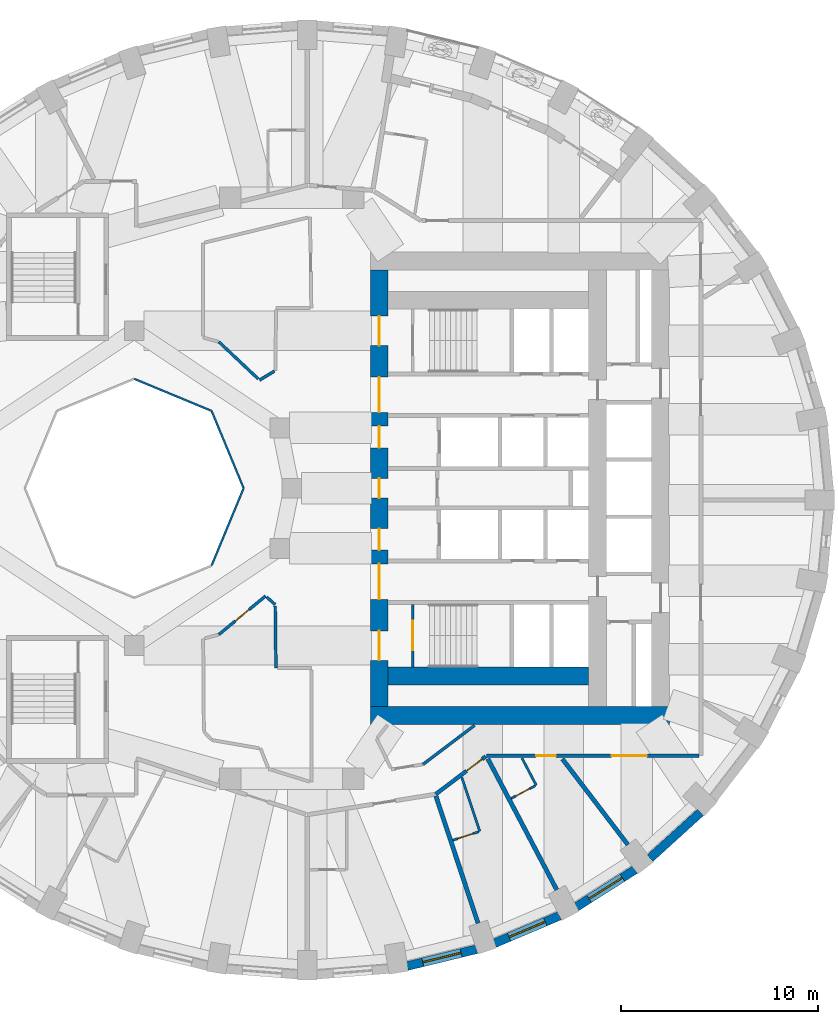
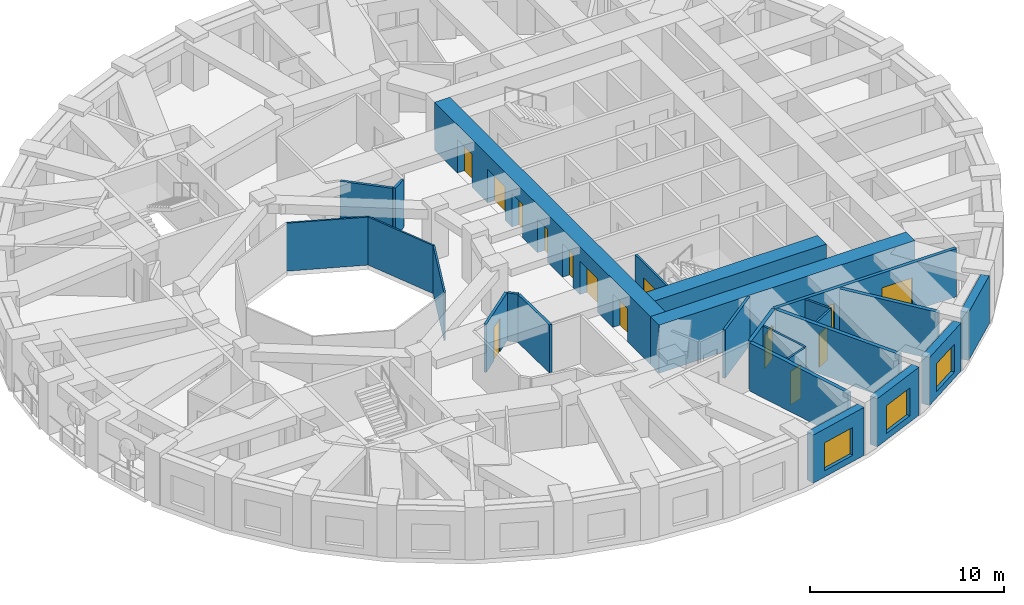
# One storey, part 5 of 12: 26 walls, 14 doors, 3 windows, 17 openings.
"""IFC4 building model written with IfcOpenShell, lengths in metres."""

import ifcopenshell
import ifcopenshell.guid

model = None  # the IFC model being written
_history = None  # IfcOwnerHistory: only IFC2X3 demands one
_inside = {}  # id of a spatial element -> (the spatial element, [elements in it])
_under = {}  # id of a project, library or spatial element -> (it, [spatial elements below it])
_declared = {}  # id of a project -> (the project, [libraries it declares])
_typed = {}  # id of a type object -> (the type object, [elements of that type])
_made_of = {}  # id of a material, layer set ... -> (it, [elements and type objects made of it])


def new_model(schema):
    """Start an empty IFC model of exactly this schema.

    Asked for "IFC4X3", IfcOpenShell would pick the latest addendum, in which some entities
    have other attributes; the version numbers below select the first issue.
    IFC2X3 requires an IfcOwnerHistory on every rooted entity: one is made here for all.
    """
    global model, _history
    if schema == "IFC4X3":
        model = ifcopenshell.file(schema_version=(4, 3, 0, 0))
    else:
        model = ifcopenshell.file(schema=schema)
    _inside.clear()
    _under.clear()
    _declared.clear()
    _typed.clear()
    _made_of.clear()
    _history = None
    if model.schema == "IFC2X3":
        org = make("IfcOrganization", Name="unknown")
        user = make(
            "IfcPersonAndOrganization",
            ThePerson=make("IfcPerson", FamilyName="unknown"),
            TheOrganization=org,
        )
        app = make(
            "IfcApplication",
            ApplicationDeveloper=org,
            Version="unknown",
            ApplicationFullName="unknown",
            ApplicationIdentifier="unknown",
        )
        _history = make(
            "IfcOwnerHistory",
            OwningUser=user,
            OwningApplication=app,
            ChangeAction="ADDED",
            CreationDate=0,
        )
    return model


def make(cls, **values):
    """One entity of the class cls with the attributes given. An attribute that is None is left unset."""
    return model.create_entity(
        cls, **{name: value for name, value in values.items() if value is not None}
    )


def rooted(cls, **values):
    """An entity with a GlobalId (a new one), such as an element, a storey or a relation."""
    return make(cls, GlobalId=ifcopenshell.guid.new(), OwnerHistory=_history, **values)


def si_unit(unit_type, name, prefix=None):
    """IfcSIUnit, for example si_unit("LENGTHUNIT", "METRE", prefix="MILLI")."""
    return make("IfcSIUnit", UnitType=unit_type, Prefix=prefix, Name=name)


def assignment(units):
    """IfcUnitAssignment: the units of a project."""
    return None if units is None else make("IfcUnitAssignment", Units=units)


def point(xyz):
    """IfcCartesianPoint."""
    return None if xyz is None else make("IfcCartesianPoint", Coordinates=xyz)


def direction(xyz):
    """IfcDirection."""
    return None if xyz is None else make("IfcDirection", DirectionRatios=xyz)


def frame(location, z_axis=None, x_axis=None):
    """IfcAxis2Placement3D, a coordinate frame: its origin and axes. An axis left out is left unset."""
    return make(
        "IfcAxis2Placement3D",
        Location=point(location),
        Axis=direction(z_axis),
        RefDirection=direction(x_axis),
    )


def frame_2d(location, x_axis=None):
    """IfcAxis2Placement2D, a coordinate frame in the plane: its origin and x axis."""
    return make(
        "IfcAxis2Placement2D", Location=point(location), RefDirection=direction(x_axis)
    )


def origin():
    """The frame at (0, 0, 0) with its axes left unset."""
    return frame((0.0, 0.0, 0.0))


def place(relative_to, where):
    """IfcLocalPlacement: puts the frame where relative to a parent placement (None: the world)."""
    return make(
        "IfcLocalPlacement", PlacementRelTo=relative_to, RelativePlacement=where
    )


def context(
    kind, dimensions, precision=None, world=None, true_north=None, identifier=None
):
    """IfcGeometricRepresentationContext, for example the 3D "Model" context."""
    return make(
        "IfcGeometricRepresentationContext",
        ContextIdentifier=identifier,
        ContextType=kind,
        CoordinateSpaceDimension=dimensions,
        Precision=precision,
        WorldCoordinateSystem=world,
        TrueNorth=true_north,
    )


def subcontext(parent, identifier, kind, view, scale=None):
    """IfcGeometricRepresentationSubContext, for example "Body" below "Model"."""
    return make(
        "IfcGeometricRepresentationSubContext",
        ContextIdentifier=identifier,
        ContextType=kind,
        ParentContext=parent,
        TargetScale=scale,
        TargetView=view,
    )


def project(units=None, contexts=None):
    """IfcProject with its units and contexts."""
    return rooted(
        "IfcProject",
        Name="project",
        RepresentationContexts=contexts,
        UnitsInContext=assignment(units),
    )


def spatial(cls, under=None, at=None, **own):
    """A site, building, storey or space (cls), placed at a placement, below another one or the project."""
    s = rooted(cls, ObjectPlacement=at, **own)
    if under is not None:
        _under.setdefault(under.id(), (under, []))[1].append(s)
    return s


def profile(cls, at=None, kind="AREA", **sizes):
    """A parametric profile (cls). Its sizes go by their IFC names, for example OverallWidth=200.0."""
    return make(cls, ProfileType=kind, Position=at, **sizes)


def rectangle(**sizes):
    """IfcRectangleProfileDef."""
    return profile("IfcRectangleProfileDef", **sizes)


def extrude(swept, where, along, depth):
    """IfcExtrudedAreaSolid: the profile swept, set in the frame where, extruded along a direction by depth."""
    return make(
        "IfcExtrudedAreaSolid",
        SweptArea=swept,
        Position=where,
        ExtrudedDirection=direction(along),
        Depth=depth,
    )


def shape(context_of_items, identifier, shape_type, items):
    """IfcShapeRepresentation: the items that make up one representation, for example the "Body"."""
    return make(
        "IfcShapeRepresentation",
        ContextOfItems=context_of_items,
        RepresentationIdentifier=identifier,
        RepresentationType=shape_type,
        Items=items,
    )


def material(Name=None, Category=None):
    """IfcMaterial."""
    return make("IfcMaterial", Name=Name, Category=Category)


def layer(
    of_material, thickness, ventilated=None, Name=None, Category=None, Priority=None
):
    """IfcMaterialLayer: one layer of a wall or slab, of a material (None: an air gap)."""
    return make(
        "IfcMaterialLayer",
        Material=of_material,
        LayerThickness=thickness,
        IsVentilated=ventilated,
        Name=Name,
        Category=Category,
        Priority=Priority,
    )


def layer_set(layers, Name=None):
    """IfcMaterialLayerSet."""
    return make("IfcMaterialLayerSet", MaterialLayers=layers, LayerSetName=Name)


def made_of(thing, what):
    """Note that an element or type object is made of a material, layer set ...; save() writes the relation."""
    if what is not None:
        _made_of.setdefault(what.id(), (what, []))[1].append(thing)
    return thing


def type_object(cls, material=None, **own):
    """A type object (cls), such as IfcWallType, which elements share."""
    return made_of(rooted(cls, **own), material)


def element(
    cls,
    number,
    at=None,
    inside=None,
    cuts=None,
    type_object=None,
    material=None,
    context=None,
    identifier="Body",
    shape_type=None,
    held_by="IfcProductDefinitionShape",
    body=None,
    shapes=None,
    **own,
):
    """One element of the class cls, such as IfcWall. Its Tag is "e" and its number.

    at: its placement. inside: the storey or other place that contains it. cuts: it is an
    opening in that element (IfcRelVoidsElement). A single representation is given by context,
    identifier, shape_type and body (its items); several are given by shapes. held_by: the class
    of the entity that holds the representations. save() writes the other relations.
    """
    e = rooted(cls, Tag="e%d" % number, ObjectPlacement=at, **own)
    if body is not None:
        shapes = [shape(context, identifier, shape_type, body)]
    if shapes is not None:
        e.Representation = make(held_by, Representations=shapes)
    if inside is not None:
        _inside.setdefault(inside.id(), (inside, []))[1].append(e)
    if cuts is not None:
        rooted(
            "IfcRelVoidsElement", RelatingBuildingElement=cuts, RelatedOpeningElement=e
        )
    if type_object is not None:
        _typed.setdefault(type_object.id(), (type_object, []))[1].append(e)
    return made_of(e, material)


def fill(opening, filler):
    """IfcRelFillsElement: the door or window that sits in an opening."""
    return rooted(
        "IfcRelFillsElement",
        RelatingOpeningElement=opening,
        RelatedBuildingElement=filler,
    )


def aggregate(whole, parts):
    """IfcRelAggregates: a whole, such as a stair, and the parts it consists of."""
    return rooted("IfcRelAggregates", RelatingObject=whole, RelatedObjects=parts)


def save(model, path):
    """Write the relations noted so far, then the file.

    IfcRelAggregates (storeys below a building ...), IfcRelContainedInSpatialStructure (elements
    in a storey), IfcRelDefinesByType, IfcRelAssociatesMaterial and IfcRelDeclares: one each for
    every whole, place, type object, material and project.
    """
    for whole, parts in _under.values():
        aggregate(whole, parts)
    for where, things in _inside.values():
        rooted(
            "IfcRelContainedInSpatialStructure",
            RelatedElements=things,
            RelatingStructure=where,
        )
    for kind, things in _typed.values():
        rooted("IfcRelDefinesByType", RelatedObjects=things, RelatingType=kind)
    for what, things in _made_of.values():
        rooted("IfcRelAssociatesMaterial", RelatedObjects=things, RelatingMaterial=what)
    for by, libraries in _declared.values():
        rooted("IfcRelDeclares", RelatingContext=by, RelatedDefinitions=libraries)
    model.write(path)


model = new_model("IFC4")

# Units and contexts
model_context = context("Model", 3, precision=1e-05, world=origin(), true_north=direction((0.0, 1.0)))
body_context = subcontext(model_context, "Body", "Model", "MODEL_VIEW")
ifc_project = project(units=[si_unit("LENGTHUNIT", "METRE"), si_unit("AREAUNIT", "SQUARE_METRE"), si_unit("VOLUMEUNIT", "CUBIC_METRE"), si_unit("PLANEANGLEUNIT", "RADIAN"), si_unit("MASSUNIT", "GRAM", prefix="KILO")], contexts=[model_context])

# Site, building, storey
site_placement = place(None, origin())
site = spatial("IfcSite", under=ifc_project, at=site_placement, CompositionType="ELEMENT")
building_placement = place(site_placement, origin())
building = spatial("IfcBuilding", under=site, at=building_placement, Name="Taillehof Tower", CompositionType="ELEMENT")
storey_placement = place(building_placement, frame((0.0, 0.0, 102.10009765625)))
storey = spatial("IfcBuildingStorey", under=building, at=storey_placement, Name="L28", CompositionType="ELEMENT", Elevation=102.10009765625)

# Walls
ifc_material_1 = material(Name="Fire-resisting glass in steel frame", Category="steel")
ifc_layer_1 = layer(ifc_material_1, 0.10009765625)
ifc_layer_set_1 = layer_set([ifc_layer_1], Name="Atrium fire-resisting screen EI 60 100")
wall_type_1 = type_object("IfcWallType", Name="Atrium fire-resisting screen EI 60 100", PredefinedType="PARTITIONING", material=ifc_layer_set_1)
for number, where, z_axis, x_axis, name in (
    (1, (-2.44580078125, 0.0, 0.0), (0.0, 0.0, 1.0), (-0.382730523909, -0.923860025149, 0.0), "Atrium screen"),
    (2, (-8.0, 5.55419921875, 0.0), (0.0, 0.0, 1.0), (0.923860025149, -0.382730523909, 0.0), "Atrium screen"),
    (3, (-4.07275390625, 3.92724609375, 0.0), (0.0, 0.0, 1.0), (0.382730523909, -0.923860025149, 0.0), "Atrium screen"),
):
    element("IfcWall", number, at=place(storey_placement, frame(where, z_axis=z_axis, x_axis=x_axis)), inside=storey, type_object=wall_type_1, Name=name, PredefinedType="PARTITIONING", context=body_context, shape_type="SweptSolid", body=[
        extrude(rectangle(XDim=4.2509765625, YDim=0.10009765625, at=frame_2d((2.12548828125, 0.0))), origin(), (0.0, 0.0, 1.0), 3.02001953125),
    ])

# Wall, opening, window
ifc_material_2 = material(Name="Brick masonry", Category="masonry")
ifc_layer_2 = layer(ifc_material_2, 0.449951171875)
ifc_layer_set_2 = layer_set([ifc_layer_2], Name="Brick infill wall 450")
wall_type_2 = type_object("IfcWallType", Name="Brick infill wall 450", PredefinedType="SOLIDWALL", material=ifc_layer_set_2)
wall_1_placement = place(storey_placement, frame((5.87451171875, -24.29443359375, 0.0), z_axis=(0.0, 0.0, 1.0), x_axis=(0.971667603162, 0.236351579148, 0.0)))
wall_1 = element("IfcWall", 4, at=wall_1_placement, inside=storey, type_object=wall_type_2, Name="Brick wall L28 bay 29", PredefinedType="SOLIDWALL", context=body_context, shape_type="SweptSolid", body=[
    extrude(rectangle(XDim=3.635009765625, YDim=0.449951171875, at=frame_2d((1.8173828125, 0.0))), origin(), (0.0, 0.0, 1.0), 3.02001953125),
])
opening_1_placement = place(wall_1_placement, frame((0.8173828125, 0.0, 0.39990234375)))
opening_1 = element("IfcOpeningElement", 5, at=opening_1_placement, cuts=wall_1, Name="Opening W2", PredefinedType="OPENING", context=body_context, shape_type="SweptSolid", body=[
    extrude(rectangle(XDim=2.0, YDim=1.75, at=frame_2d((1.0, 0.875))), frame((0.0, 0.23486328125, 0.0), z_axis=(0.0, -1.0, 0.0), x_axis=(1.0, 0.0, 0.0)), (0.0, 0.0, 1.0), 0.469970703125),
])
ifc_material_3 = material(Name="Aluminium window frame with clear double glazing", Category="aluminium")
window_type = type_object("IfcWindowType", Name="Deep-set window 2000x1750", PartitioningType="SINGLE_PANEL", PredefinedType="WINDOW", material=ifc_material_3)
window_1_placement = place(opening_1_placement, origin())
window_1 = element("IfcWindow", 6, at=window_1_placement, inside=storey, type_object=window_type, Name="W2", OverallHeight=1.75, OverallWidth=2.0, PartitioningType="SINGLE_PANEL", PredefinedType="WINDOW", context=body_context, shape_type="SweptSolid", body=[
    extrude(rectangle(XDim=2.0, YDim=1.75, at=frame_2d((1.0, 0.875))), frame((0.0, 0.034912109375, 0.0), z_axis=(0.0, -1.0, 0.0), x_axis=(1.0, 0.0, 0.0)), (0.0, 0.0, 1.0), 0.06005859375),
])
fill(opening_1, window_1)

wall_2_placement = place(storey_placement, frame((10.318115234375, -23.133544921875, 0.0), z_axis=(0.0, 0.0, 1.0), x_axis=(0.920869643542, 0.389870619055, 0.0)))
wall_2 = element("IfcWall", 7, at=wall_2_placement, inside=storey, type_object=wall_type_2, Name="Brick wall L28 bay 30", PredefinedType="SOLIDWALL", context=body_context, shape_type="SweptSolid", body=[
    extrude(rectangle(XDim=3.59130859375, YDim=0.449951171875, at=frame_2d((1.795654296875, 0.0))), origin(), (0.0, 0.0, 1.0), 3.02001953125),
])
opening_2_placement = place(wall_2_placement, frame((0.795654296875, 0.0, 0.39990234375)))
opening_2 = element("IfcOpeningElement", 8, at=opening_2_placement, cuts=wall_2, Name="Opening W2", PredefinedType="OPENING", context=body_context, shape_type="SweptSolid", body=[
    extrude(rectangle(XDim=2.0, YDim=1.75, at=frame_2d((1.0, 0.875))), frame((0.0, 0.23486328125, 0.0), z_axis=(0.0, -1.0, 0.0), x_axis=(1.0, 0.0, 0.0)), (0.0, 0.0, 1.0), 0.469970703125),
])
window_2_placement = place(opening_2_placement, origin())
window_2 = element("IfcWindow", 9, at=window_2_placement, inside=storey, type_object=window_type, Name="W2", OverallHeight=1.75, OverallWidth=2.0, PartitioningType="SINGLE_PANEL", PredefinedType="WINDOW", context=body_context, shape_type="SweptSolid", body=[
    extrude(rectangle(XDim=2.0, YDim=1.75, at=frame_2d((1.0, 0.875))), frame((0.0, 0.034912109375, 0.0), z_axis=(0.0, -1.0, 0.0), x_axis=(1.0, 0.0, 0.0)), (0.0, 0.0, 1.0), 0.06005859375),
])
fill(opening_2, window_2)

wall_3_placement = place(storey_placement, frame((14.475341796875, -21.287109375, 0.0), z_axis=(0.0, 0.0, 1.0), x_axis=(0.843911841423, 0.536481876587, 0.0)))
wall_3 = element("IfcWall", 10, at=wall_3_placement, inside=storey, type_object=wall_type_2, Name="Brick wall L28 bay 31", PredefinedType="SOLIDWALL", context=body_context, shape_type="SweptSolid", body=[
    extrude(rectangle(XDim=3.5322265625, YDim=0.449951171875, at=frame_2d((1.76611328125, 0.0))), origin(), (0.0, 0.0, 1.0), 3.02001953125),
])
opening_3_placement = place(wall_3_placement, frame((0.76611328125, 0.0, 0.39990234375)))
opening_3 = element("IfcOpeningElement", 11, at=opening_3_placement, cuts=wall_3, Name="Opening W2", PredefinedType="OPENING", context=body_context, shape_type="SweptSolid", body=[
    extrude(rectangle(XDim=2.0, YDim=1.75, at=frame_2d((1.0, 0.875))), frame((0.0, 0.23486328125, 0.0), z_axis=(0.0, -1.0, 0.0), x_axis=(1.0, 0.0, 0.0)), (0.0, 0.0, 1.0), 0.469970703125),
])
window_3_placement = place(opening_3_placement, origin())
window_3 = element("IfcWindow", 12, at=window_3_placement, inside=storey, type_object=window_type, Name="W2", OverallHeight=1.75, OverallWidth=2.0, PartitioningType="SINGLE_PANEL", PredefinedType="WINDOW", context=body_context, shape_type="SweptSolid", body=[
    extrude(rectangle(XDim=2.0, YDim=1.75, at=frame_2d((1.0, 0.875))), frame((0.0, 0.034912109375, 0.0), z_axis=(0.0, -1.0, 0.0), x_axis=(1.0, 0.0, 0.0)), (0.0, 0.0, 1.0), 0.06005859375),
])
fill(opening_3, window_3)

# Wall
wall_4_placement = place(storey_placement, frame((18.219482421875, -18.8095703125, 0.0), z_axis=(0.0, 0.0, 1.0), x_axis=(0.740364106106, 0.672206062446, 0.0)))
element("IfcWall", 13, at=wall_4_placement, inside=storey, type_object=wall_type_2, Name="Brick wall L28 bay 32", PredefinedType="SOLIDWALL", context=body_context, shape_type="SweptSolid", body=[
    extrude(rectangle(XDim=3.4638671875, YDim=0.449951171875, at=frame_2d((1.73193359375, 0.0))), origin(), (0.0, 0.0, 1.0), 3.02001953125),
])

# Wall, openings, doors
ifc_material_4 = material(Name="Gypsum board on steel studs, two layers each side", Category="steel")
ifc_layer_3 = layer(ifc_material_4, 0.199951171875)
ifc_layer_set_3 = layer_set([ifc_layer_3], Name="Compartment wall corridor 200")
wall_type_3 = type_object("IfcWallType", Name="Compartment wall corridor 200", PredefinedType="PARTITIONING", material=ifc_layer_set_3)
wall_5_placement = place(storey_placement, frame((20.699951171875, -13.60009765625, 0.0), z_axis=(0.0, 0.0, 1.0), x_axis=(-1.0, 0.0, 0.0)))
wall_5 = element("IfcWall", 14, at=wall_5_placement, inside=storey, type_object=wall_type_3, Name="Compartment wall", PredefinedType="PARTITIONING", context=body_context, shape_type="SweptSolid", body=[
    extrude(rectangle(XDim=10.791015625, YDim=0.199951171875, at=frame_2d((5.3955078125, 0.0))), origin(), (0.0, 0.0, 1.0), 3.02001953125),
])
opening_4_placement = place(wall_5_placement, frame((7.27197265625, 0.0, 0.0)))
opening_4 = element("IfcOpeningElement", 15, at=opening_4_placement, cuts=wall_5, Name="Opening D2859", PredefinedType="OPENING", context=body_context, shape_type="SweptSolid", body=[
    extrude(rectangle(XDim=1.0, YDim=2.10009765625, at=frame_2d((0.5, 1.050048828125))), frame((0.0, 0.10986328125, 0.0), z_axis=(0.0, -1.0, 0.0), x_axis=(1.0, 0.0, 0.0)), (0.0, 0.0, 1.0), 0.219970703125),
])
opening_5_placement = place(wall_5_placement, frame((2.638427734375, 0.0, 0.0)))
opening_5 = element("IfcOpeningElement", 16, at=opening_5_placement, cuts=wall_5, Name="Opening D2861", PredefinedType="OPENING", context=body_context, shape_type="SweptSolid", body=[
    extrude(rectangle(XDim=1.800048828125, YDim=2.10009765625, at=frame_2d((0.89990234375, 1.050048828125))), frame((0.0, 0.10986328125, 0.0), z_axis=(0.0, -1.0, 0.0), x_axis=(1.0, 0.0, 0.0)), (0.0, 0.0, 1.0), 0.219970703125),
])
ifc_material_5 = material(Name="Timber door leaf in steel frame", Category="steel")
door_type_1 = type_object("IfcDoorType", Name="Guest room door EI 30 1000 x 2100", OperationType="SINGLE_SWING_LEFT", PredefinedType="DOOR", material=ifc_material_5)
door_1_placement = place(opening_4_placement, origin())
door_1 = element("IfcDoor", 17, at=door_1_placement, inside=storey, type_object=door_type_1, Name="D2859", OperationType="SINGLE_SWING_LEFT", OverallHeight=2.10009765625, OverallWidth=1.0, PredefinedType="DOOR", context=body_context, shape_type="SweptSolid", body=[
    extrude(rectangle(XDim=1.0, YDim=2.10009765625, at=frame_2d((0.5, 1.050048828125))), frame((0.0, 0.02490234375, 0.0), z_axis=(0.0, -1.0, 0.0), x_axis=(1.0, 0.0, 0.0)), (0.0, 0.0, 1.0), 0.050048828125),
])
fill(opening_4, door_1)
ifc_material_6 = material(Name="Timber door leaf in steel frame", Category="steel")
door_type_2 = type_object("IfcDoorType", Name="Lounge and meeting room double door EI 30 1800 x 2100", OperationType="SINGLE_SWING_LEFT", PredefinedType="DOOR", material=ifc_material_6)
door_2_placement = place(opening_5_placement, origin())
door_2 = element("IfcDoor", 18, at=door_2_placement, inside=storey, type_object=door_type_2, Name="D2861", OperationType="DOUBLE_DOOR_SINGLE_SWING", OverallHeight=2.10009765625, OverallWidth=1.800048828125, PredefinedType="DOOR", context=body_context, shape_type="SweptSolid", body=[
    extrude(rectangle(XDim=1.800048828125, YDim=2.10009765625, at=frame_2d((0.89990234375, 1.050048828125))), frame((0.0, 0.02490234375, 0.0), z_axis=(0.0, -1.0, 0.0), x_axis=(1.0, 0.0, 0.0)), (0.0, 0.0, 1.0), 0.050048828125),
])
fill(opening_5, door_2)

# Wall, opening, door
wall_6_placement = place(storey_placement, frame((9.861328125, -13.635986328125, 0.0), z_axis=(0.0, 0.0, 1.0), x_axis=(-0.797589990076, -0.603199973251, 0.0)))
wall_6 = element("IfcWall", 19, at=wall_6_placement, inside=storey, type_object=wall_type_3, Name="Compartment wall", PredefinedType="PARTITIONING", context=body_context, shape_type="SweptSolid", body=[
    extrude(rectangle(XDim=3.181396484375, YDim=0.199951171875, at=frame_2d((1.5908203125, 0.0))), origin(), (0.0, 0.0, 1.0), 3.02001953125),
])
opening_6_placement = place(wall_6_placement, frame((0.219970703125, 0.0, 0.0)))
opening_6 = element("IfcOpeningElement", 20, at=opening_6_placement, cuts=wall_6, Name="Opening D2857", PredefinedType="OPENING", context=body_context, shape_type="SweptSolid", body=[
    extrude(rectangle(XDim=1.0, YDim=2.10009765625, at=frame_2d((0.5, 1.050048828125))), frame((0.0, 0.10986328125, 0.0), z_axis=(0.0, -1.0, 0.0), x_axis=(1.0, 0.0, 0.0)), (0.0, 0.0, 1.0), 0.219970703125),
])
door_3_placement = place(opening_6_placement, origin())
door_3 = element("IfcDoor", 21, at=door_3_placement, inside=storey, type_object=door_type_1, Name="D2857", OperationType="SINGLE_SWING_LEFT", OverallHeight=2.10009765625, OverallWidth=1.0, PredefinedType="DOOR", context=body_context, shape_type="SweptSolid", body=[
    extrude(rectangle(XDim=1.0, YDim=2.10009765625, at=frame_2d((0.5, 1.050048828125))), frame((0.0, 0.02490234375, 0.0), z_axis=(0.0, -1.0, 0.0), x_axis=(1.0, 0.0, 0.0)), (0.0, 0.0, 1.0), 0.050048828125),
])
fill(opening_6, door_3)

# Walls
ifc_material_7 = material(Name="Gypsum board on double steel studs with mineral wool", Category="steel")
ifc_layer_4 = layer(ifc_material_7, 0.219970703125)
ifc_layer_set_4 = layer_set([ifc_layer_4], Name="Compartment wall guest room 220")
wall_type_4 = type_object("IfcWallType", Name="Compartment wall guest room 220", PredefinedType="PARTITIONING", material=ifc_layer_set_4)
wall_7_placement = place(storey_placement, frame((9.4736328125, -22.11181640625, 0.0), z_axis=(0.0, 0.0, 1.0), x_axis=(-0.314536861663, 0.949245259485, 0.0)))
element("IfcWall", 22, at=wall_7_placement, inside=storey, type_object=wall_type_4, Name="Compartment wall", PredefinedType="PARTITIONING", context=body_context, shape_type="SweptSolid", body=[
    extrude(rectangle(XDim=6.802490234375, YDim=0.219970703125, at=frame_2d((3.4013671875, 0.0))), origin(), (0.0, 0.0, 1.0), 3.02001953125),
])
wall_8_placement = place(storey_placement, frame((13.47607421875, -20.417724609375, 0.0), z_axis=(0.0, 0.0, 1.0), x_axis=(-0.465332071749, 0.885136183308, 0.0)))
element("IfcWall", 23, at=wall_8_placement, inside=storey, type_object=wall_type_4, Name="Compartment wall", PredefinedType="PARTITIONING", context=body_context, shape_type="SweptSolid", body=[
    extrude(rectangle(XDim=7.52880859375, YDim=0.219970703125, at=frame_2d((3.764404296875, 0.0))), origin(), (0.0, 0.0, 1.0), 3.02001953125),
])
wall_9_placement = place(storey_placement, frame((17.08935546875, -18.120849609375, 0.0), z_axis=(0.0, 0.0, 1.0), x_axis=(-0.607064955951, 0.794652212767, 0.0)))
element("IfcWall", 24, at=wall_9_placement, inside=storey, type_object=wall_type_4, Name="Compartment wall", PredefinedType="PARTITIONING", context=body_context, shape_type="SweptSolid", body=[
    extrude(rectangle(XDim=5.483154296875, YDim=0.219970703125, at=frame_2d((2.74169921875, 0.0))), origin(), (0.0, 0.0, 1.0), 3.02001953125),
])
ifc_material_8 = material(Name="Gypsum board on steel studs, two layers each side", Category="steel")
ifc_layer_5 = layer(ifc_material_8, 0.14990234375)
ifc_layer_set_5 = layer_set([ifc_layer_5], Name="Compartment wall service room 150")
wall_type_5 = type_object("IfcWallType", Name="Compartment wall service room 150", PredefinedType="PARTITIONING", material=ifc_layer_set_5)
wall_10_placement = place(storey_placement, frame((-0.87353515625, 5.95166015625, 0.0), z_axis=(0.0, 0.0, 1.0), x_axis=(-0.857759476535, -0.514051242984, 0.0)))
element("IfcWall", 25, at=wall_10_placement, inside=storey, type_object=wall_type_5, Name="Compartment wall", PredefinedType="PARTITIONING", context=body_context, shape_type="SweptSolid", body=[
    extrude(rectangle(XDim=0.888671875, YDim=0.14990234375, at=frame_2d((0.4443359375, 0.0))), origin(), (0.0, 0.0, 1.0), 3.02001953125),
])
wall_11_placement = place(storey_placement, frame((-1.6943359375, 5.549560546875, 0.0), z_axis=(0.0, 0.0, 1.0), x_axis=(-0.728018179622, 0.685557824067, 0.0)))
element("IfcWall", 26, at=wall_11_placement, inside=storey, type_object=wall_type_5, Name="Compartment wall", PredefinedType="PARTITIONING", context=body_context, shape_type="SweptSolid", body=[
    extrude(rectangle(XDim=2.760009765625, YDim=0.14990234375, at=frame_2d((1.3798828125, 0.0))), origin(), (0.0, 0.0, 1.0), 3.02001953125),
])

# Wall, opening, door
wall_12_placement = place(storey_placement, frame((-3.70361328125, -7.441650390625, 0.0), z_axis=(0.0, 0.0, 1.0), x_axis=(0.771379108851, 0.636375887686, 0.0)))
wall_12 = element("IfcWall", 27, at=wall_12_placement, inside=storey, type_object=wall_type_5, Name="Compartment wall", PredefinedType="PARTITIONING", context=body_context, shape_type="SweptSolid", body=[
    extrude(rectangle(XDim=3.083251953125, YDim=0.14990234375, at=frame_2d((1.54150390625, 0.0))), origin(), (0.0, 0.0, 1.0), 3.02001953125),
])
opening_7_placement = place(wall_12_placement, frame((1.091552734375, 0.0, 0.0)))
opening_7 = element("IfcOpeningElement", 28, at=opening_7_placement, cuts=wall_12, Name="Opening D2866", PredefinedType="OPENING", context=body_context, shape_type="SweptSolid", body=[
    extrude(rectangle(XDim=0.89990234375, YDim=2.10009765625, at=frame_2d((0.449951171875, 1.050048828125))), frame((0.0, 0.0849609375, 0.0), z_axis=(0.0, -1.0, 0.0), x_axis=(1.0, 0.0, 0.0)), (0.0, 0.0, 1.0), 0.169921875),
])
ifc_material_9 = material(Name="Timber door leaf in steel frame", Category="steel")
door_type_3 = type_object("IfcDoorType", Name="Service room door EI 30 900 x 2100", OperationType="SINGLE_SWING_LEFT", PredefinedType="DOOR", material=ifc_material_9)
door_4_placement = place(opening_7_placement, origin())
door_4 = element("IfcDoor", 29, at=door_4_placement, inside=storey, type_object=door_type_3, Name="D2866", OperationType="SINGLE_SWING_LEFT", OverallHeight=2.10009765625, OverallWidth=0.89990234375, PredefinedType="DOOR", context=body_context, shape_type="SweptSolid", body=[
    extrude(rectangle(XDim=0.89990234375, YDim=2.10009765625, at=frame_2d((0.449951171875, 1.050048828125))), frame((0.0, 0.02490234375, 0.0), z_axis=(0.0, -1.0, 0.0), x_axis=(1.0, 0.0, 0.0)), (0.0, 0.0, 1.0), 0.050048828125),
])
fill(opening_7, door_4)

# Walls
wall_13_placement = place(storey_placement, frame((-1.265625, -5.533203125, 0.0), z_axis=(0.0, 0.0, 1.0), x_axis=(0.740704364941, -0.671831112525, 0.0)))
element("IfcWall", 30, at=wall_13_placement, inside=storey, type_object=wall_type_5, Name="Compartment wall", PredefinedType="PARTITIONING", context=body_context, shape_type="SweptSolid", body=[
    extrude(rectangle(XDim=0.577880859375, YDim=0.14990234375, at=frame_2d((0.2890625, 0.0))), origin(), (0.0, 0.0, 1.0), 3.02001953125),
])
wall_14_placement = place(storey_placement, frame((-0.8369140625, -5.9814453125, 0.0), z_axis=(0.0, 0.0, 1.0), x_axis=(0.011634287273, -0.999932319389, 0.0)))
element("IfcWall", 31, at=wall_14_placement, inside=storey, type_object=wall_type_5, Name="Compartment wall", PredefinedType="PARTITIONING", context=body_context, shape_type="SweptSolid", body=[
    extrude(rectangle(XDim=3.168701171875, YDim=0.14990234375, at=frame_2d((1.58447265625, 0.0))), origin(), (0.0, 0.0, 1.0), 3.02001953125),
])
wall_15_placement = place(storey_placement, frame((9.299560546875, -12.054931640625, 0.0), z_axis=(0.0, 0.0, 1.0), x_axis=(-0.79762360872, -0.603155517933, 0.0)))
element("IfcWall", 32, at=wall_15_placement, inside=storey, type_object=wall_type_5, Name="Compartment wall", PredefinedType="PARTITIONING", context=body_context, shape_type="SweptSolid", body=[
    extrude(rectangle(XDim=3.2880859375, YDim=0.14990234375, at=frame_2d((1.64404296875, 0.0))), origin(), (0.0, 0.0, 1.0), 3.02001953125),
])

# Wall, openings, doors
ifc_material_10 = material(Name="Concrete C80/95", Category="concrete")
ifc_layer_6 = layer(ifc_material_10, 0.89990234375)
ifc_layer_set_6 = layer_set([ifc_layer_6], Name="Core wall C80/95 900")
wall_type_6 = type_object("IfcWallType", Name="Core wall C80/95 900", PredefinedType="SHEAR", material=ifc_layer_set_6)
wall_16_placement = place(storey_placement, frame((4.449951171875, -11.10009765625, 0.0), z_axis=(0.0, 0.0, 1.0), x_axis=(0.0, 1.0, 0.0)))
wall_16 = element("IfcWall", 33, at=wall_16_placement, inside=storey, type_object=wall_type_6, Name="Core wall CW01", PredefinedType="SHEAR", context=body_context, shape_type="SweptSolid", body=[
    extrude(rectangle(XDim=22.2001953125, YDim=0.89990234375, at=frame_2d((11.10009765625, 0.0))), origin(), (0.0, 0.0, 1.0), 3.02001953125),
])
opening_8_placement = place(wall_16_placement, frame((2.35009765625, 0.0, 0.0)))
opening_8 = element("IfcOpeningElement", 34, at=opening_8_placement, cuts=wall_16, Name="Opening D2801", PredefinedType="OPENING", context=body_context, shape_type="SweptSolid", body=[
    extrude(rectangle(XDim=1.5, YDim=2.10009765625, at=frame_2d((0.75, 1.050048828125))), frame((0.0, 0.4599609375, 0.0), z_axis=(0.0, -1.0, 0.0), x_axis=(1.0, 0.0, 0.0)), (0.0, 0.0, 1.0), 0.919921875),
])
opening_9_placement = place(wall_16_placement, frame((5.449951171875, 0.0, 0.0)))
opening_9 = element("IfcOpeningElement", 35, at=opening_9_placement, cuts=wall_16, Name="Opening D2802", PredefinedType="OPENING", context=body_context, shape_type="SweptSolid", body=[
    extrude(rectangle(XDim=1.800048828125, YDim=2.10009765625, at=frame_2d((0.89990234375, 1.050048828125))), frame((0.0, 0.4599609375, 0.0), z_axis=(0.0, -1.0, 0.0), x_axis=(1.0, 0.0, 0.0)), (0.0, 0.0, 1.0), 0.919921875),
])
opening_10_placement = place(wall_16_placement, frame((7.949951171875, 0.0, 0.0)))
opening_10 = element("IfcOpeningElement", 36, at=opening_10_placement, cuts=wall_16, Name="Opening D2803", PredefinedType="OPENING", context=body_context, shape_type="SweptSolid", body=[
    extrude(rectangle(XDim=1.10009765625, YDim=2.10009765625, at=frame_2d((0.550048828125, 1.050048828125))), frame((0.0, 0.4599609375, 0.0), z_axis=(0.0, -1.0, 0.0), x_axis=(1.0, 0.0, 0.0)), (0.0, 0.0, 1.0), 0.919921875),
])
opening_11_placement = place(wall_16_placement, frame((10.60009765625, 0.0, 0.0)))
opening_11 = element("IfcOpeningElement", 37, at=opening_11_placement, cuts=wall_16, Name="Opening D2804", PredefinedType="OPENING", context=body_context, shape_type="SweptSolid", body=[
    extrude(rectangle(XDim=1.0, YDim=2.10009765625, at=frame_2d((0.5, 1.050048828125))), frame((0.0, 0.4599609375, 0.0), z_axis=(0.0, -1.0, 0.0), x_axis=(1.0, 0.0, 0.0)), (0.0, 0.0, 1.0), 0.919921875),
])
opening_12_placement = place(wall_16_placement, frame((13.14990234375, 0.0, 0.0)))
opening_12 = element("IfcOpeningElement", 38, at=opening_12_placement, cuts=wall_16, Name="Opening D2805", PredefinedType="OPENING", context=body_context, shape_type="SweptSolid", body=[
    extrude(rectangle(XDim=1.10009765625, YDim=2.10009765625, at=frame_2d((0.550048828125, 1.050048828125))), frame((0.0, 0.4599609375, 0.0), z_axis=(0.0, -1.0, 0.0), x_axis=(1.0, 0.0, 0.0)), (0.0, 0.0, 1.0), 0.919921875),
])
opening_13_placement = place(wall_16_placement, frame((14.949951171875, 0.0, 0.0)))
opening_13 = element("IfcOpeningElement", 39, at=opening_13_placement, cuts=wall_16, Name="Opening D2806", PredefinedType="OPENING", context=body_context, shape_type="SweptSolid", body=[
    extrude(rectangle(XDim=1.800048828125, YDim=2.10009765625, at=frame_2d((0.89990234375, 1.050048828125))), frame((0.0, 0.4599609375, 0.0), z_axis=(0.0, -1.0, 0.0), x_axis=(1.0, 0.0, 0.0)), (0.0, 0.0, 1.0), 0.919921875),
])
opening_14_placement = place(wall_16_placement, frame((18.35009765625, 0.0, 0.0)))
opening_14 = element("IfcOpeningElement", 40, at=opening_14_placement, cuts=wall_16, Name="Opening D2807", PredefinedType="OPENING", context=body_context, shape_type="SweptSolid", body=[
    extrude(rectangle(XDim=1.5, YDim=2.10009765625, at=frame_2d((0.75, 1.050048828125))), frame((0.0, 0.4599609375, 0.0), z_axis=(0.0, -1.0, 0.0), x_axis=(1.0, 0.0, 0.0)), (0.0, 0.0, 1.0), 0.919921875),
])
ifc_material_11 = material(Name="Steel-faced fire door", Category="steel")
door_type_4 = type_object("IfcDoorType", Name="Firefighting lobby door 1100x2100", OperationType="SINGLE_SWING_RIGHT", PredefinedType="DOOR", material=ifc_material_11)
door_5_placement = place(opening_10_placement, origin())
door_5 = element("IfcDoor", 41, at=door_5_placement, inside=storey, type_object=door_type_4, Name="Firefighting lobby door FFL-S", OperationType="SINGLE_SWING_RIGHT", OverallHeight=2.10009765625, OverallWidth=1.10009765625, PredefinedType="DOOR", context=body_context, shape_type="SweptSolid", body=[
    extrude(rectangle(XDim=1.10009765625, YDim=2.10009765625, at=frame_2d((0.550048828125, 1.050048828125))), frame((0.0, 0.02490234375, 0.0), z_axis=(0.0, -1.0, 0.0), x_axis=(1.0, 0.0, 0.0)), (0.0, 0.0, 1.0), 0.050048828125),
])
fill(opening_10, door_5)
door_6_placement = place(opening_12_placement, origin())
door_6 = element("IfcDoor", 42, at=door_6_placement, inside=storey, type_object=door_type_4, Name="Firefighting lobby door FFL-N", OperationType="SINGLE_SWING_LEFT", OverallHeight=2.10009765625, OverallWidth=1.10009765625, PredefinedType="DOOR", context=body_context, shape_type="SweptSolid", body=[
    extrude(rectangle(XDim=1.10009765625, YDim=2.10009765625, at=frame_2d((0.550048828125, 1.050048828125))), frame((0.0, 0.02490234375, 0.0), z_axis=(0.0, -1.0, 0.0), x_axis=(1.0, 0.0, 0.0)), (0.0, 0.0, 1.0), 0.050048828125),
])
fill(opening_12, door_6)
ifc_material_12 = material(Name="Steel-faced fire door", Category="steel")
door_type_5 = type_object("IfcDoorType", Name="Lift lobby door 1800x2100", OperationType="DOUBLE_DOOR_SINGLE_SWING", PredefinedType="DOOR", material=ifc_material_12)
door_7_placement = place(opening_9_placement, origin())
door_7 = element("IfcDoor", 43, at=door_7_placement, inside=storey, type_object=door_type_5, Name="Lift lobby door LL-S", OperationType="DOUBLE_DOOR_SINGLE_SWING", OverallHeight=2.10009765625, OverallWidth=1.800048828125, PredefinedType="DOOR", context=body_context, shape_type="SweptSolid", body=[
    extrude(rectangle(XDim=1.800048828125, YDim=2.10009765625, at=frame_2d((0.89990234375, 1.050048828125))), frame((0.0, 0.02490234375, 0.0), z_axis=(0.0, -1.0, 0.0), x_axis=(1.0, 0.0, 0.0)), (0.0, 0.0, 1.0), 0.050048828125),
])
fill(opening_9, door_7)
door_8_placement = place(opening_13_placement, origin())
door_8 = element("IfcDoor", 44, at=door_8_placement, inside=storey, type_object=door_type_5, Name="Lift lobby door LL-N", OperationType="DOUBLE_DOOR_SINGLE_SWING", OverallHeight=2.10009765625, OverallWidth=1.800048828125, PredefinedType="DOOR", context=body_context, shape_type="SweptSolid", body=[
    extrude(rectangle(XDim=1.800048828125, YDim=2.10009765625, at=frame_2d((0.89990234375, 1.050048828125))), frame((0.0, 0.02490234375, 0.0), z_axis=(0.0, -1.0, 0.0), x_axis=(1.0, 0.0, 0.0)), (0.0, 0.0, 1.0), 0.050048828125),
])
fill(opening_13, door_8)
ifc_material_13 = material(Name="Steel-faced fire door", Category="steel")
door_type_6 = type_object("IfcDoorType", Name="Service door 1000x2100", OperationType="SINGLE_SWING_RIGHT", PredefinedType="DOOR", material=ifc_material_13)
door_9_placement = place(opening_11_placement, origin())
door_9 = element("IfcDoor", 45, at=door_9_placement, inside=storey, type_object=door_type_6, Name="Service door SV", OperationType="SINGLE_SWING_RIGHT", OverallHeight=2.10009765625, OverallWidth=1.0, PredefinedType="DOOR", context=body_context, shape_type="SweptSolid", body=[
    extrude(rectangle(XDim=1.0, YDim=2.10009765625, at=frame_2d((0.5, 1.050048828125))), frame((0.0, 0.02490234375, 0.0), z_axis=(0.0, -1.0, 0.0), x_axis=(1.0, 0.0, 0.0)), (0.0, 0.0, 1.0), 0.050048828125),
])
fill(opening_11, door_9)
ifc_material_14 = material(Name="Steel-faced fire door", Category="steel")
door_type_7 = type_object("IfcDoorType", Name="Stair door 1500x2100", OperationType="DOUBLE_DOOR_SINGLE_SWING", PredefinedType="DOOR", material=ifc_material_14)
door_10_placement = place(opening_8_placement, origin())
door_10 = element("IfcDoor", 46, at=door_10_placement, inside=storey, type_object=door_type_7, Name="Stair door S2", OperationType="DOUBLE_DOOR_SINGLE_SWING", OverallHeight=2.10009765625, OverallWidth=1.5, PredefinedType="DOOR", context=body_context, shape_type="SweptSolid", body=[
    extrude(rectangle(XDim=1.5, YDim=2.10009765625, at=frame_2d((0.75, 1.050048828125))), frame((0.0, 0.02490234375, 0.0), z_axis=(0.0, -1.0, 0.0), x_axis=(1.0, 0.0, 0.0)), (0.0, 0.0, 1.0), 0.050048828125),
])
fill(opening_8, door_10)
door_11_placement = place(opening_14_placement, origin())
door_11 = element("IfcDoor", 47, at=door_11_placement, inside=storey, type_object=door_type_7, Name="Stair door S1", OperationType="DOUBLE_DOOR_SINGLE_SWING", OverallHeight=2.10009765625, OverallWidth=1.5, PredefinedType="DOOR", context=body_context, shape_type="SweptSolid", body=[
    extrude(rectangle(XDim=1.5, YDim=2.10009765625, at=frame_2d((0.75, 1.050048828125))), frame((0.0, 0.02490234375, 0.0), z_axis=(0.0, -1.0, 0.0), x_axis=(1.0, 0.0, 0.0)), (0.0, 0.0, 1.0), 0.050048828125),
])
fill(opening_14, door_11)

# Walls
wall_17_placement = place(storey_placement, frame((4.0, -11.550048828125, 0.0), z_axis=(0.0, 0.0, 1.0), x_axis=(1.0, 0.0, 0.0)))
element("IfcWall", 48, at=wall_17_placement, inside=storey, type_object=wall_type_6, Name="Core wall CW04", PredefinedType="SHEAR", context=body_context, shape_type="SweptSolid", body=[
    extrude(rectangle(XDim=15.199951171875, YDim=0.89990234375, at=frame_2d((7.60009765625, 0.0))), origin(), (0.0, 0.0, 1.0), 3.02001953125),
])
wall_18_placement = place(storey_placement, frame((4.89990234375, -9.550048828125, 0.0), z_axis=(0.0, 0.0, 1.0), x_axis=(1.0, 0.0, 0.0)))
element("IfcWall", 49, at=wall_18_placement, inside=storey, type_object=wall_type_6, Name="Core wall CW07", PredefinedType="SHEAR", context=body_context, shape_type="SweptSolid", body=[
    extrude(rectangle(XDim=10.2001953125, YDim=0.89990234375, at=frame_2d((5.10009765625, 0.0))), origin(), (0.0, 0.0, 1.0), 3.02001953125),
])
ifc_material_15 = material(Name="Gypsum board on steel studs, moisture resistant", Category="steel")
ifc_layer_7 = layer(ifc_material_15, 0.1201171875)
ifc_layer_set_7 = layer_set([ifc_layer_7], Name="En-suite wall 120")
wall_type_7 = type_object("IfcWallType", Name="En-suite wall 120", PredefinedType="PARTITIONING", material=ifc_layer_set_7)
wall_19_placement = place(storey_placement, frame((8.650634765625, -14.700927734375, 0.0), z_axis=(0.0, 0.0, 1.0), x_axis=(0.314630509088, -0.949214223846, 0.0)))
element("IfcWall", 50, at=wall_19_placement, inside=storey, type_object=wall_type_7, Name="En-suite wall", PredefinedType="PARTITIONING", context=body_context, shape_type="SweptSolid", body=[
    extrude(rectangle(XDim=2.8896484375, YDim=0.1201171875, at=frame_2d((1.44482421875, 0.0))), origin(), (0.0, 0.0, 1.0), 3.02001953125),
])
wall_20_placement = place(storey_placement, frame((11.705322265625, -13.718017578125, 0.0), z_axis=(0.0, 0.0, 1.0), x_axis=(0.465437210927, -0.885080901773, 0.0)))
element("IfcWall", 51, at=wall_20_placement, inside=storey, type_object=wall_type_7, Name="En-suite wall", PredefinedType="PARTITIONING", context=body_context, shape_type="SweptSolid", body=[
    extrude(rectangle(XDim=1.56201171875, YDim=0.1201171875, at=frame_2d((0.781005859375, 0.0))), origin(), (0.0, 0.0, 1.0), 3.02001953125),
])

# Wall, opening, door
wall_21_placement = place(storey_placement, frame((9.5029296875, -17.462646484375, 0.0), z_axis=(0.0, 0.0, 1.0), x_axis=(-0.949247859497, -0.314529014943, 0.0)))
wall_21 = element("IfcWall", 52, at=wall_21_placement, inside=storey, type_object=wall_type_7, Name="En-suite wall", PredefinedType="PARTITIONING", context=body_context, shape_type="SweptSolid", body=[
    extrude(rectangle(XDim=1.380126953125, YDim=0.1201171875, at=frame_2d((0.68994140625, 0.0))), origin(), (0.0, 0.0, 1.0), 3.02001953125),
])
opening_15_placement = place(wall_21_placement, frame((0.315185546875, 0.0, 0.0)))
opening_15 = element("IfcOpeningElement", 53, at=opening_15_placement, cuts=wall_21, Name="Opening D2858", PredefinedType="OPENING", context=body_context, shape_type="SweptSolid", body=[
    extrude(rectangle(XDim=0.800048828125, YDim=2.10009765625, at=frame_2d((0.39990234375, 1.050048828125))), frame((0.0, 0.070068359375, 0.0), z_axis=(0.0, -1.0, 0.0), x_axis=(1.0, 0.0, 0.0)), (0.0, 0.0, 1.0), 0.14013671875),
])
ifc_material_16 = material(Name="Timber door leaf in steel frame", Category="steel")
door_type_8 = type_object("IfcDoorType", Name="En-suite door 800 x 2100", OperationType="SINGLE_SWING_LEFT", PredefinedType="DOOR", material=ifc_material_16)
door_12_placement = place(opening_15_placement, origin())
door_12 = element("IfcDoor", 54, at=door_12_placement, inside=storey, type_object=door_type_8, Name="D2858", OperationType="SINGLE_SWING_RIGHT", OverallHeight=2.10009765625, OverallWidth=0.800048828125, PredefinedType="DOOR", context=body_context, shape_type="SweptSolid", body=[
    extrude(rectangle(XDim=0.800048828125, YDim=2.10009765625, at=frame_2d((0.39990234375, 1.050048828125))), frame((0.0, 0.02490234375, 0.0), z_axis=(0.0, -1.0, 0.0), x_axis=(1.0, 0.0, 0.0)), (0.0, 0.0, 1.0), 0.050048828125),
])
fill(opening_15, door_12)

wall_22_placement = place(storey_placement, frame((12.379150390625, -15.12841796875, 0.0), z_axis=(0.0, 0.0, 1.0), x_axis=(-0.885113826366, -0.465374595757, 0.0)))
wall_22 = element("IfcWall", 55, at=wall_22_placement, inside=storey, type_object=wall_type_7, Name="En-suite wall", PredefinedType="PARTITIONING", context=body_context, shape_type="SweptSolid", body=[
    extrude(rectangle(XDim=1.38037109375, YDim=0.1201171875, at=frame_2d((0.690185546875, 0.0))), origin(), (0.0, 0.0, 1.0), 3.02001953125),
])
opening_16_placement = place(wall_22_placement, frame((0.31494140625, 0.0, 0.0)))
opening_16 = element("IfcOpeningElement", 56, at=opening_16_placement, cuts=wall_22, Name="Opening D2860", PredefinedType="OPENING", context=body_context, shape_type="SweptSolid", body=[
    extrude(rectangle(XDim=0.800048828125, YDim=2.10009765625, at=frame_2d((0.39990234375, 1.050048828125))), frame((0.0, 0.070068359375, 0.0), z_axis=(0.0, -1.0, 0.0), x_axis=(1.0, 0.0, 0.0)), (0.0, 0.0, 1.0), 0.14013671875),
])
door_13_placement = place(opening_16_placement, origin())
door_13 = element("IfcDoor", 57, at=door_13_placement, inside=storey, type_object=door_type_8, Name="D2860", OperationType="SINGLE_SWING_LEFT", OverallHeight=2.10009765625, OverallWidth=0.800048828125, PredefinedType="DOOR", context=body_context, shape_type="SweptSolid", body=[
    extrude(rectangle(XDim=0.800048828125, YDim=2.10009765625, at=frame_2d((0.39990234375, 1.050048828125))), frame((0.0, 0.02490234375, 0.0), z_axis=(0.0, -1.0, 0.0), x_axis=(1.0, 0.0, 0.0)), (0.0, 0.0, 1.0), 0.050048828125),
])
fill(opening_16, door_13)

ifc_material_17 = material(Name="Concrete C50/60", Category="concrete")
ifc_layer_8 = layer(ifc_material_17, 0.1201171875)
ifc_layer_set_8 = layer_set([ifc_layer_8], Name="Stair lobby wall C50/60 120")
wall_type_8 = type_object("IfcWallType", Name="Stair lobby wall C50/60 120", PredefinedType="SHEAR", material=ifc_layer_set_8)
wall_23_placement = place(storey_placement, frame((6.159912109375, -9.10009765625, 0.0), z_axis=(0.0, 0.0, 1.0), x_axis=(0.0, 1.0, 0.0)))
wall_23 = element("IfcWall", 58, at=wall_23_placement, inside=storey, type_object=wall_type_8, Name="Compartment wall SW", PredefinedType="SHEAR", context=body_context, shape_type="SweptSolid", body=[
    extrude(rectangle(XDim=3.2001953125, YDim=0.1201171875, at=frame_2d((1.60009765625, 0.0))), origin(), (0.0, 0.0, 1.0), 3.02001953125),
])
opening_17_placement = place(wall_23_placement, frame((0.85009765625, 0.0, 0.0)))
opening_17 = element("IfcOpeningElement", 59, at=opening_17_placement, cuts=wall_23, Name="Opening D2811", PredefinedType="OPENING", context=body_context, shape_type="SweptSolid", body=[
    extrude(rectangle(XDim=1.5, YDim=2.10009765625, at=frame_2d((0.75, 1.050048828125))), frame((0.0, 0.070068359375, 0.0), z_axis=(0.0, -1.0, 0.0), x_axis=(1.0, 0.0, 0.0)), (0.0, 0.0, 1.0), 0.14013671875),
])
door_14_placement = place(opening_17_placement, origin())
door_14 = element("IfcDoor", 60, at=door_14_placement, inside=storey, type_object=door_type_7, Name="Stair lobby door S2", OperationType="DOUBLE_DOOR_SINGLE_SWING", OverallHeight=2.10009765625, OverallWidth=1.5, PredefinedType="DOOR", context=body_context, shape_type="SweptSolid", body=[
    extrude(rectangle(XDim=1.5, YDim=2.10009765625, at=frame_2d((0.75, 1.050048828125))), frame((0.0, 0.02490234375, 0.0), z_axis=(0.0, -1.0, 0.0), x_axis=(1.0, 0.0, 0.0)), (0.0, 0.0, 1.0), 0.050048828125),
])
fill(opening_17, door_14)

save(model, "model.ifc")
